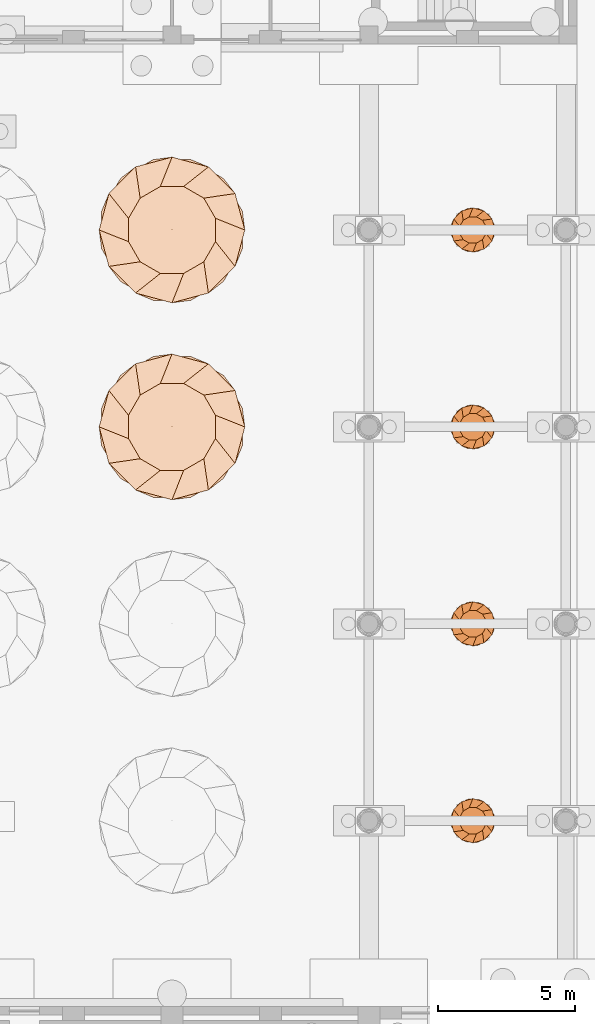
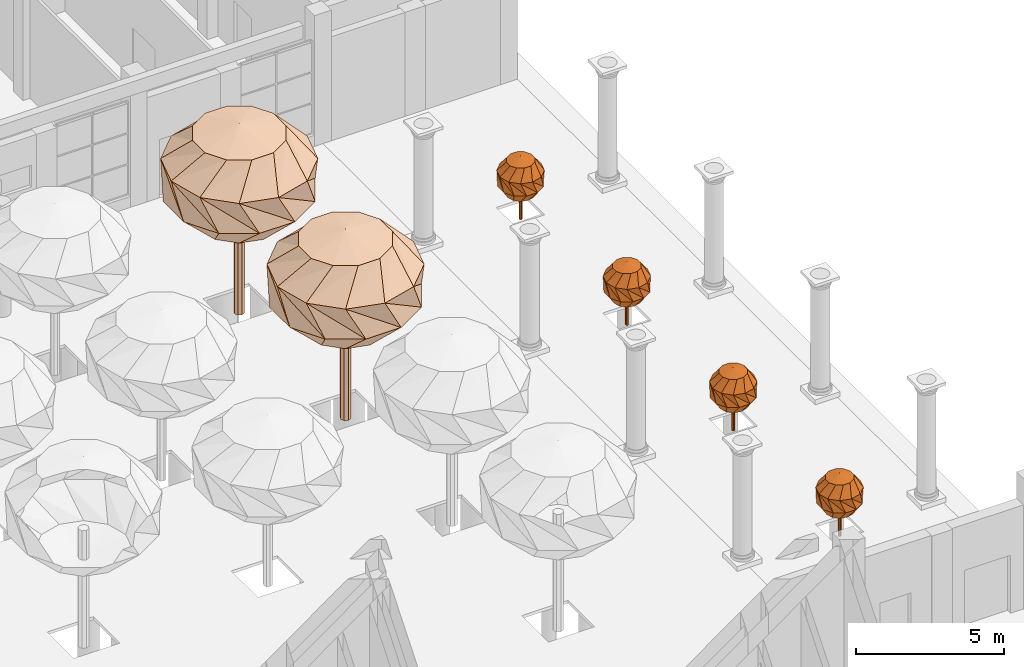
# One storey, part 80 of 80: 6 geographic elements.
"""IFC4 building model written with IfcOpenShell, lengths in metres."""

from ifc_helpers import new_model, si_unit, direction, frame, origin, place, context, subcontext, project, spatial, triangles, material, type_object, element, save


model = new_model("IFC4")

# Units and contexts
model_context = context("Model", 3, precision=1e-05, world=origin(), true_north=direction((0.0, 1.0)))
body_context = subcontext(model_context, "Body", "Model", "MODEL_VIEW")
ifc_project = project(units=[si_unit("LENGTHUNIT", "METRE"), si_unit("AREAUNIT", "SQUARE_METRE"), si_unit("VOLUMEUNIT", "CUBIC_METRE"), si_unit("PLANEANGLEUNIT", "RADIAN"), si_unit("MASSUNIT", "GRAM", prefix="KILO")], contexts=[model_context])

# Site, building, storey
site_placement = place(None, origin())
site = spatial("IfcSite", under=ifc_project, at=site_placement, CompositionType="ELEMENT")
building_placement = place(site_placement, origin())
building = spatial("IfcBuilding", under=site, at=building_placement, Name="Ussher Court Research Institute", CompositionType="ELEMENT")
storey_placement = place(building_placement, origin())
storey = spatial("IfcBuildingStorey", under=building, at=storey_placement, Name="L00", CompositionType="ELEMENT", Elevation=0.0)

# Geographic elements
ifc_material_1 = material(Name="Tree foliage and trunk")
geographic_element_type_1 = type_object("IfcGeographicElementType", Name="African mahogany 7.8 m", PredefinedType="USERDEFINED", material=ifc_material_1)
geographic_element_1_placement = place(storey_placement, frame((89.39990234375, 54.39990234375, -0.320068359375)))
element("IfcGeographicElement", 1, at=geographic_element_1_placement, inside=storey, type_object=geographic_element_type_1, Name="T27 African mahogany", ObjectType="TREE", PredefinedType="USERDEFINED", context=body_context, shape_type="Tessellation", body=[
    triangles([(0.1899, 0.0, 0.0), (0.1343, 0.1343, 0.0), (0.0, 0.1899, 0.0), (-0.1343, 0.1343, 0.0), (-0.1899, 0.0, 0.0), (-0.1343, -0.1343, 0.0), (0.0, -0.1899, 0.0), (0.1343, -0.1343, 0.0), (0.1899, 0.0, 4.8601), (0.1343, 0.1343, 4.8601), (0.0, 0.1899, 4.8601), (-0.1343, 0.1343, 4.8601), (-0.1899, 0.0, 4.8601), (-0.1343, -0.1343, 4.8601), (0.0, -0.1899, 4.8601), (0.1343, -0.1343, 4.8601), (0.0, 0.0, 7.8), (1.5897, 0.426, 7.399), (1.1638, 1.1638, 7.399), (0.426, 1.5897, 7.399), (-0.426, 1.5897, 7.399), (-1.1638, 1.1638, 7.399), (-1.5897, 0.426, 7.399), (-1.5897, -0.426, 7.399), (-1.1638, -1.1638, 7.399), (-0.426, -1.5897, 7.399), (0.426, -1.5897, 7.399), (1.1638, -1.1638, 7.399), (1.5897, -0.426, 7.399), (2.663, 0.0, 6.349), (2.3062, 1.3315, 6.349), (1.3315, 2.3062, 6.349), (0.0, 2.663, 6.349), (-1.3315, 2.3062, 6.349), (-2.3062, 1.3315, 6.349), (-2.663, 0.0, 6.349), (-2.3062, -1.3315, 6.349), (-1.3315, -2.3062, 6.349), (0.0, -2.663, 6.349), (1.3315, -2.3062, 6.349), (2.3062, -1.3315, 6.349), (2.5723, 0.6892, 5.0511), (1.883, 1.883, 5.0511), (0.6892, 2.5723, 5.0511), (-0.6892, 2.5723, 5.0511), (-1.883, 1.883, 5.0511), (-2.5723, 0.6892, 5.0511), (-2.5723, -0.6892, 5.0511), (-1.883, -1.883, 5.0511), (-0.6892, -2.5723, 5.0511), (0.6892, -2.5723, 5.0511), (1.883, -1.883, 5.0511), (2.5723, -0.6892, 5.0511), (1.6458, 0.0, 4.0012), (1.4253, 0.8229, 4.0012), (0.8229, 1.4253, 4.0012), (0.0, 1.6458, 4.0012), (-0.8229, 1.4253, 4.0012), (-1.4253, 0.8229, 4.0012), (-1.6458, 0.0, 4.0012), (-1.4253, -0.8229, 4.0012), (-0.8229, -1.4253, 4.0012), (0.0, -1.6458, 4.0012), (0.8229, -1.4253, 4.0012), (1.4253, -0.8229, 4.0012), (0.0, 0.0, 3.6001)], [[1, 2, 9], [2, 10, 9], [2, 3, 10], [3, 11, 10], [3, 4, 11], [4, 12, 11], [4, 5, 12], [5, 13, 12], [5, 6, 13], [6, 14, 13], [6, 7, 14], [7, 15, 14], [7, 8, 15], [8, 16, 15], [8, 1, 16], [1, 9, 16], [1, 3, 2], [9, 10, 11], [1, 4, 3], [9, 11, 12], [1, 5, 4], [9, 12, 13], [1, 6, 5], [9, 13, 14], [1, 7, 6], [9, 14, 15], [1, 8, 7], [9, 15, 16], [17, 18, 19], [17, 19, 20], [17, 20, 21], [17, 21, 22], [17, 22, 23], [17, 23, 24], [17, 24, 25], [17, 25, 26], [17, 26, 27], [17, 27, 28], [17, 28, 29], [17, 29, 18], [18, 30, 19], [19, 30, 31], [19, 31, 20], [20, 31, 32], [20, 32, 21], [21, 32, 33], [21, 33, 22], [22, 33, 34], [22, 34, 23], [23, 34, 35], [23, 35, 24], [24, 35, 36], [24, 36, 25], [25, 36, 37], [25, 37, 26], [26, 37, 38], [26, 38, 27], [27, 38, 39], [27, 39, 28], [28, 39, 40], [28, 40, 29], [29, 40, 41], [29, 41, 18], [18, 41, 30], [30, 43, 31], [30, 42, 43], [31, 44, 32], [31, 43, 44], [32, 45, 33], [32, 44, 45], [33, 46, 34], [33, 45, 46], [34, 47, 35], [34, 46, 47], [35, 48, 36], [35, 47, 48], [36, 49, 37], [36, 48, 49], [37, 50, 38], [37, 49, 50], [38, 51, 39], [38, 50, 51], [39, 52, 40], [39, 51, 52], [40, 53, 41], [40, 52, 53], [41, 42, 30], [41, 53, 42], [42, 54, 43], [43, 54, 55], [43, 55, 44], [44, 55, 56], [44, 56, 45], [45, 56, 57], [45, 57, 46], [46, 57, 58], [46, 58, 47], [47, 58, 59], [47, 59, 48], [48, 59, 60], [48, 60, 49], [49, 60, 61], [49, 61, 50], [50, 61, 62], [50, 62, 51], [51, 62, 63], [51, 63, 52], [52, 63, 64], [52, 64, 53], [53, 64, 65], [53, 65, 42], [42, 65, 54], [66, 55, 54], [66, 56, 55], [66, 57, 56], [66, 58, 57], [66, 59, 58], [66, 60, 59], [66, 61, 60], [66, 62, 61], [66, 63, 62], [66, 64, 63], [66, 65, 64], [66, 54, 65]], closed=False),
])
geographic_element_2_placement = place(storey_placement, frame((89.39990234375, 61.60009765625, -0.320068359375)))
element("IfcGeographicElement", 2, at=geographic_element_2_placement, inside=storey, type_object=geographic_element_type_1, Name="T28 African mahogany", ObjectType="TREE", PredefinedType="USERDEFINED", context=body_context, shape_type="Tessellation", body=[
    triangles([(0.1899, 0.0, 0.0), (0.1343, 0.1343, 0.0), (0.0, 0.1899, 0.0), (-0.1343, 0.1343, 0.0), (-0.1899, 0.0, 0.0), (-0.1343, -0.1343, 0.0), (0.0, -0.1899, 0.0), (0.1343, -0.1343, 0.0), (0.1899, 0.0, 4.8601), (0.1343, 0.1343, 4.8601), (0.0, 0.1899, 4.8601), (-0.1343, 0.1343, 4.8601), (-0.1899, 0.0, 4.8601), (-0.1343, -0.1343, 4.8601), (0.0, -0.1899, 4.8601), (0.1343, -0.1343, 4.8601), (0.0, 0.0, 7.8), (1.5897, 0.426, 7.399), (1.1638, 1.1638, 7.399), (0.426, 1.5897, 7.399), (-0.426, 1.5897, 7.399), (-1.1638, 1.1638, 7.399), (-1.5897, 0.426, 7.399), (-1.5897, -0.426, 7.399), (-1.1638, -1.1638, 7.399), (-0.426, -1.5897, 7.399), (0.426, -1.5897, 7.399), (1.1638, -1.1638, 7.399), (1.5897, -0.426, 7.399), (2.663, 0.0, 6.349), (2.3062, 1.3315, 6.349), (1.3315, 2.3062, 6.349), (0.0, 2.663, 6.349), (-1.3315, 2.3062, 6.349), (-2.3062, 1.3315, 6.349), (-2.663, 0.0, 6.349), (-2.3062, -1.3315, 6.349), (-1.3315, -2.3062, 6.349), (0.0, -2.663, 6.349), (1.3315, -2.3062, 6.349), (2.3062, -1.3315, 6.349), (2.5723, 0.6892, 5.0511), (1.883, 1.883, 5.0511), (0.6892, 2.5723, 5.0511), (-0.6892, 2.5723, 5.0511), (-1.883, 1.883, 5.0511), (-2.5723, 0.6892, 5.0511), (-2.5723, -0.6892, 5.0511), (-1.883, -1.883, 5.0511), (-0.6892, -2.5723, 5.0511), (0.6892, -2.5723, 5.0511), (1.883, -1.883, 5.0511), (2.5723, -0.6892, 5.0511), (1.6458, 0.0, 4.0012), (1.4253, 0.8229, 4.0012), (0.8229, 1.4253, 4.0012), (0.0, 1.6458, 4.0012), (-0.8229, 1.4253, 4.0012), (-1.4253, 0.8229, 4.0012), (-1.6458, 0.0, 4.0012), (-1.4253, -0.8229, 4.0012), (-0.8229, -1.4253, 4.0012), (0.0, -1.6458, 4.0012), (0.8229, -1.4253, 4.0012), (1.4253, -0.8229, 4.0012), (0.0, 0.0, 3.6001)], [[1, 2, 9], [2, 10, 9], [2, 3, 10], [3, 11, 10], [3, 4, 11], [4, 12, 11], [4, 5, 12], [5, 13, 12], [5, 6, 13], [6, 14, 13], [6, 7, 14], [7, 15, 14], [7, 8, 15], [8, 16, 15], [8, 1, 16], [1, 9, 16], [1, 3, 2], [9, 10, 11], [1, 4, 3], [9, 11, 12], [1, 5, 4], [9, 12, 13], [1, 6, 5], [9, 13, 14], [1, 7, 6], [9, 14, 15], [1, 8, 7], [9, 15, 16], [17, 18, 19], [17, 19, 20], [17, 20, 21], [17, 21, 22], [17, 22, 23], [17, 23, 24], [17, 24, 25], [17, 25, 26], [17, 26, 27], [17, 27, 28], [17, 28, 29], [17, 29, 18], [18, 30, 19], [19, 30, 31], [19, 31, 20], [20, 31, 32], [20, 32, 21], [21, 32, 33], [21, 33, 22], [22, 33, 34], [22, 34, 23], [23, 34, 35], [23, 35, 24], [24, 35, 36], [24, 36, 25], [25, 36, 37], [25, 37, 26], [26, 37, 38], [26, 38, 27], [27, 38, 39], [27, 39, 28], [28, 39, 40], [28, 40, 29], [29, 40, 41], [29, 41, 18], [18, 41, 30], [30, 43, 31], [30, 42, 43], [31, 44, 32], [31, 43, 44], [32, 45, 33], [32, 44, 45], [33, 46, 34], [33, 45, 46], [34, 47, 35], [34, 46, 47], [35, 48, 36], [35, 47, 48], [36, 49, 37], [36, 48, 49], [37, 50, 38], [37, 49, 50], [38, 51, 39], [38, 50, 51], [39, 52, 40], [39, 51, 52], [40, 53, 41], [40, 52, 53], [41, 42, 30], [41, 53, 42], [42, 54, 43], [43, 54, 55], [43, 55, 44], [44, 55, 56], [44, 56, 45], [45, 56, 57], [45, 57, 46], [46, 57, 58], [46, 58, 47], [47, 58, 59], [47, 59, 48], [48, 59, 60], [48, 60, 49], [49, 60, 61], [49, 61, 50], [50, 61, 62], [50, 62, 51], [51, 62, 63], [51, 63, 52], [52, 63, 64], [52, 64, 53], [53, 64, 65], [53, 65, 42], [42, 65, 54], [66, 55, 54], [66, 56, 55], [66, 57, 56], [66, 58, 57], [66, 59, 58], [66, 60, 59], [66, 61, 60], [66, 62, 61], [66, 63, 62], [66, 64, 63], [66, 65, 64], [66, 54, 65]], closed=False),
])
ifc_material_2 = material(Name="Tree foliage and trunk")
geographic_element_type_2 = type_object("IfcGeographicElementType", Name="Pygmy date palm 2.6 m", PredefinedType="USERDEFINED", material=ifc_material_2)
geographic_element_3_placement = place(storey_placement, frame((100.39990234375, 40.0, -0.320068359375)))
element("IfcGeographicElement", 3, at=geographic_element_3_placement, inside=storey, type_object=geographic_element_type_2, Name="T38 Pygmy date palm", ObjectType="TREE", PredefinedType="USERDEFINED", context=body_context, shape_type="Tessellation", body=[
    triangles([(0.0601, 0.0, 0.0), (0.0425, 0.0425, 0.0), (0.0, 0.0601, 0.0), (-0.0425, 0.0425, 0.0), (-0.0601, 0.0, 0.0), (-0.0425, -0.0425, 0.0), (0.0, -0.0601, 0.0), (0.0425, -0.0425, 0.0), (0.0601, 0.0, 1.4099), (0.0425, 0.0425, 1.4099), (0.0, 0.0601, 1.4099), (-0.0425, 0.0425, 1.4099), (-0.0601, 0.0, 1.4099), (-0.0425, -0.0425, 1.4099), (0.0, -0.0601, 1.4099), (0.0425, -0.0425, 1.4099), (0.0, 0.0, 2.5999), (0.4826, 0.1293, 2.4375), (0.3533, 0.3533, 2.4375), (0.1293, 0.4826, 2.4375), (-0.1293, 0.4826, 2.4375), (-0.3533, 0.3533, 2.4375), (-0.4826, 0.1293, 2.4375), (-0.4826, -0.1293, 2.4375), (-0.3533, -0.3533, 2.4375), (-0.1293, -0.4826, 2.4375), (0.1293, -0.4826, 2.4375), (0.3533, -0.3533, 2.4375), (0.4826, -0.1293, 2.4375), (0.8084, 0.0, 2.0125), (0.7001, 0.4042, 2.0125), (0.4042, 0.7001, 2.0125), (0.0, 0.8084, 2.0125), (-0.4042, 0.7001, 2.0125), (-0.7001, 0.4042, 2.0125), (-0.8084, 0.0, 2.0125), (-0.7001, -0.4042, 2.0125), (-0.4042, -0.7001, 2.0125), (0.0, -0.8084, 2.0125), (0.4042, -0.7001, 2.0125), (0.7001, -0.4042, 2.0125), (0.7808, 0.2092, 1.4872), (0.5716, 0.5716, 1.4872), (0.2092, 0.7808, 1.4872), (-0.2092, 0.7808, 1.4872), (-0.5716, 0.5716, 1.4872), (-0.7808, 0.2092, 1.4872), (-0.7808, -0.2092, 1.4872), (-0.5716, -0.5716, 1.4872), (-0.2092, -0.7808, 1.4872), (0.2092, -0.7808, 1.4872), (0.5716, -0.5716, 1.4872), (0.7808, -0.2092, 1.4872), (0.4996, 0.0, 1.0622), (0.4327, 0.2498, 1.0622), (0.2498, 0.4327, 1.0622), (0.0, 0.4996, 1.0622), (-0.2498, 0.4327, 1.0622), (-0.4327, 0.2498, 1.0622), (-0.4996, 0.0, 1.0622), (-0.4327, -0.2498, 1.0622), (-0.2498, -0.4327, 1.0622), (0.0, -0.4996, 1.0622), (0.2498, -0.4327, 1.0622), (0.4327, -0.2498, 1.0622), (0.0, 0.0, 0.8999)], [[1, 2, 9], [2, 10, 9], [2, 3, 10], [3, 11, 10], [3, 4, 11], [4, 12, 11], [4, 5, 12], [5, 13, 12], [5, 6, 13], [6, 14, 13], [6, 7, 14], [7, 15, 14], [7, 8, 15], [8, 16, 15], [8, 1, 16], [1, 9, 16], [1, 3, 2], [9, 10, 11], [1, 4, 3], [9, 11, 12], [1, 5, 4], [9, 12, 13], [1, 6, 5], [9, 13, 14], [1, 7, 6], [9, 14, 15], [1, 8, 7], [9, 15, 16], [17, 18, 19], [17, 19, 20], [17, 20, 21], [17, 21, 22], [17, 22, 23], [17, 23, 24], [17, 24, 25], [17, 25, 26], [17, 26, 27], [17, 27, 28], [17, 28, 29], [17, 29, 18], [18, 30, 19], [19, 30, 31], [19, 31, 20], [20, 31, 32], [20, 32, 21], [21, 32, 33], [21, 33, 22], [22, 33, 34], [22, 34, 23], [23, 34, 35], [23, 35, 24], [24, 35, 36], [24, 36, 25], [25, 36, 37], [25, 37, 26], [26, 37, 38], [26, 38, 27], [27, 38, 39], [27, 39, 28], [28, 39, 40], [28, 40, 29], [29, 40, 41], [29, 41, 18], [18, 41, 30], [30, 43, 31], [30, 42, 43], [31, 44, 32], [31, 43, 44], [32, 45, 33], [32, 44, 45], [33, 46, 34], [33, 45, 46], [34, 47, 35], [34, 46, 47], [35, 48, 36], [35, 47, 48], [36, 49, 37], [36, 48, 49], [37, 50, 38], [37, 49, 50], [38, 51, 39], [38, 50, 51], [39, 52, 40], [39, 51, 52], [40, 53, 41], [40, 52, 53], [41, 42, 30], [41, 53, 42], [42, 54, 43], [43, 54, 55], [43, 55, 44], [44, 55, 56], [44, 56, 45], [45, 56, 57], [45, 57, 46], [46, 57, 58], [46, 58, 47], [47, 58, 59], [47, 59, 48], [48, 59, 60], [48, 60, 49], [49, 60, 61], [49, 61, 50], [50, 61, 62], [50, 62, 51], [51, 62, 63], [51, 63, 52], [52, 63, 64], [52, 64, 53], [53, 64, 65], [53, 65, 42], [42, 65, 54], [66, 55, 54], [66, 56, 55], [66, 57, 56], [66, 58, 57], [66, 59, 58], [66, 60, 59], [66, 61, 60], [66, 62, 61], [66, 63, 62], [66, 64, 63], [66, 65, 64], [66, 54, 65]], closed=False),
])
geographic_element_4_placement = place(storey_placement, frame((100.39990234375, 47.199951171875, -0.320068359375)))
element("IfcGeographicElement", 4, at=geographic_element_4_placement, inside=storey, type_object=geographic_element_type_2, Name="T39 Pygmy date palm", ObjectType="TREE", PredefinedType="USERDEFINED", context=body_context, shape_type="Tessellation", body=[
    triangles([(0.0601, 0.0, 0.0), (0.0425, 0.0425, 0.0), (0.0, 0.0601, 0.0), (-0.0425, 0.0425, 0.0), (-0.0601, 0.0, 0.0), (-0.0425, -0.0425, 0.0), (0.0, -0.0601, 0.0), (0.0425, -0.0425, 0.0), (0.0601, 0.0, 1.4099), (0.0425, 0.0425, 1.4099), (0.0, 0.0601, 1.4099), (-0.0425, 0.0425, 1.4099), (-0.0601, 0.0, 1.4099), (-0.0425, -0.0425, 1.4099), (0.0, -0.0601, 1.4099), (0.0425, -0.0425, 1.4099), (0.0, 0.0, 2.5999), (0.4826, 0.1293, 2.4375), (0.3533, 0.3533, 2.4375), (0.1293, 0.4826, 2.4375), (-0.1293, 0.4826, 2.4375), (-0.3533, 0.3533, 2.4375), (-0.4826, 0.1293, 2.4375), (-0.4826, -0.1293, 2.4375), (-0.3533, -0.3533, 2.4375), (-0.1293, -0.4826, 2.4375), (0.1293, -0.4826, 2.4375), (0.3533, -0.3533, 2.4375), (0.4826, -0.1293, 2.4375), (0.8084, 0.0, 2.0125), (0.7001, 0.4042, 2.0125), (0.4042, 0.7001, 2.0125), (0.0, 0.8084, 2.0125), (-0.4042, 0.7001, 2.0125), (-0.7001, 0.4042, 2.0125), (-0.8084, 0.0, 2.0125), (-0.7001, -0.4042, 2.0125), (-0.4042, -0.7001, 2.0125), (0.0, -0.8084, 2.0125), (0.4042, -0.7001, 2.0125), (0.7001, -0.4042, 2.0125), (0.7808, 0.2092, 1.4872), (0.5716, 0.5716, 1.4872), (0.2092, 0.7808, 1.4872), (-0.2092, 0.7808, 1.4872), (-0.5716, 0.5716, 1.4872), (-0.7808, 0.2092, 1.4872), (-0.7808, -0.2092, 1.4872), (-0.5716, -0.5716, 1.4872), (-0.2092, -0.7808, 1.4872), (0.2092, -0.7808, 1.4872), (0.5716, -0.5716, 1.4872), (0.7808, -0.2092, 1.4872), (0.4996, 0.0, 1.0622), (0.4327, 0.2498, 1.0622), (0.2498, 0.4327, 1.0622), (0.0, 0.4996, 1.0622), (-0.2498, 0.4327, 1.0622), (-0.4327, 0.2498, 1.0622), (-0.4996, 0.0, 1.0622), (-0.4327, -0.2498, 1.0622), (-0.2498, -0.4327, 1.0622), (0.0, -0.4996, 1.0622), (0.2498, -0.4327, 1.0622), (0.4327, -0.2498, 1.0622), (0.0, 0.0, 0.8999)], [[1, 2, 9], [2, 10, 9], [2, 3, 10], [3, 11, 10], [3, 4, 11], [4, 12, 11], [4, 5, 12], [5, 13, 12], [5, 6, 13], [6, 14, 13], [6, 7, 14], [7, 15, 14], [7, 8, 15], [8, 16, 15], [8, 1, 16], [1, 9, 16], [1, 3, 2], [9, 10, 11], [1, 4, 3], [9, 11, 12], [1, 5, 4], [9, 12, 13], [1, 6, 5], [9, 13, 14], [1, 7, 6], [9, 14, 15], [1, 8, 7], [9, 15, 16], [17, 18, 19], [17, 19, 20], [17, 20, 21], [17, 21, 22], [17, 22, 23], [17, 23, 24], [17, 24, 25], [17, 25, 26], [17, 26, 27], [17, 27, 28], [17, 28, 29], [17, 29, 18], [18, 30, 19], [19, 30, 31], [19, 31, 20], [20, 31, 32], [20, 32, 21], [21, 32, 33], [21, 33, 22], [22, 33, 34], [22, 34, 23], [23, 34, 35], [23, 35, 24], [24, 35, 36], [24, 36, 25], [25, 36, 37], [25, 37, 26], [26, 37, 38], [26, 38, 27], [27, 38, 39], [27, 39, 28], [28, 39, 40], [28, 40, 29], [29, 40, 41], [29, 41, 18], [18, 41, 30], [30, 43, 31], [30, 42, 43], [31, 44, 32], [31, 43, 44], [32, 45, 33], [32, 44, 45], [33, 46, 34], [33, 45, 46], [34, 47, 35], [34, 46, 47], [35, 48, 36], [35, 47, 48], [36, 49, 37], [36, 48, 49], [37, 50, 38], [37, 49, 50], [38, 51, 39], [38, 50, 51], [39, 52, 40], [39, 51, 52], [40, 53, 41], [40, 52, 53], [41, 42, 30], [41, 53, 42], [42, 54, 43], [43, 54, 55], [43, 55, 44], [44, 55, 56], [44, 56, 45], [45, 56, 57], [45, 57, 46], [46, 57, 58], [46, 58, 47], [47, 58, 59], [47, 59, 48], [48, 59, 60], [48, 60, 49], [49, 60, 61], [49, 61, 50], [50, 61, 62], [50, 62, 51], [51, 62, 63], [51, 63, 52], [52, 63, 64], [52, 64, 53], [53, 64, 65], [53, 65, 42], [42, 65, 54], [66, 55, 54], [66, 56, 55], [66, 57, 56], [66, 58, 57], [66, 59, 58], [66, 60, 59], [66, 61, 60], [66, 62, 61], [66, 63, 62], [66, 64, 63], [66, 65, 64], [66, 54, 65]], closed=False),
])
geographic_element_5_placement = place(storey_placement, frame((100.39990234375, 54.39990234375, -0.320068359375)))
element("IfcGeographicElement", 5, at=geographic_element_5_placement, inside=storey, type_object=geographic_element_type_2, Name="T40 Pygmy date palm", ObjectType="TREE", PredefinedType="USERDEFINED", context=body_context, shape_type="Tessellation", body=[
    triangles([(0.0601, 0.0, 0.0), (0.0425, 0.0425, 0.0), (0.0, 0.0601, 0.0), (-0.0425, 0.0425, 0.0), (-0.0601, 0.0, 0.0), (-0.0425, -0.0425, 0.0), (0.0, -0.0601, 0.0), (0.0425, -0.0425, 0.0), (0.0601, 0.0, 1.4099), (0.0425, 0.0425, 1.4099), (0.0, 0.0601, 1.4099), (-0.0425, 0.0425, 1.4099), (-0.0601, 0.0, 1.4099), (-0.0425, -0.0425, 1.4099), (0.0, -0.0601, 1.4099), (0.0425, -0.0425, 1.4099), (0.0, 0.0, 2.5999), (0.4826, 0.1293, 2.4375), (0.3533, 0.3533, 2.4375), (0.1293, 0.4826, 2.4375), (-0.1293, 0.4826, 2.4375), (-0.3533, 0.3533, 2.4375), (-0.4826, 0.1293, 2.4375), (-0.4826, -0.1293, 2.4375), (-0.3533, -0.3533, 2.4375), (-0.1293, -0.4826, 2.4375), (0.1293, -0.4826, 2.4375), (0.3533, -0.3533, 2.4375), (0.4826, -0.1293, 2.4375), (0.8084, 0.0, 2.0125), (0.7001, 0.4042, 2.0125), (0.4042, 0.7001, 2.0125), (0.0, 0.8084, 2.0125), (-0.4042, 0.7001, 2.0125), (-0.7001, 0.4042, 2.0125), (-0.8084, 0.0, 2.0125), (-0.7001, -0.4042, 2.0125), (-0.4042, -0.7001, 2.0125), (0.0, -0.8084, 2.0125), (0.4042, -0.7001, 2.0125), (0.7001, -0.4042, 2.0125), (0.7808, 0.2092, 1.4872), (0.5716, 0.5716, 1.4872), (0.2092, 0.7808, 1.4872), (-0.2092, 0.7808, 1.4872), (-0.5716, 0.5716, 1.4872), (-0.7808, 0.2092, 1.4872), (-0.7808, -0.2092, 1.4872), (-0.5716, -0.5716, 1.4872), (-0.2092, -0.7808, 1.4872), (0.2092, -0.7808, 1.4872), (0.5716, -0.5716, 1.4872), (0.7808, -0.2092, 1.4872), (0.4996, 0.0, 1.0622), (0.4327, 0.2498, 1.0622), (0.2498, 0.4327, 1.0622), (0.0, 0.4996, 1.0622), (-0.2498, 0.4327, 1.0622), (-0.4327, 0.2498, 1.0622), (-0.4996, 0.0, 1.0622), (-0.4327, -0.2498, 1.0622), (-0.2498, -0.4327, 1.0622), (0.0, -0.4996, 1.0622), (0.2498, -0.4327, 1.0622), (0.4327, -0.2498, 1.0622), (0.0, 0.0, 0.8999)], [[1, 2, 9], [2, 10, 9], [2, 3, 10], [3, 11, 10], [3, 4, 11], [4, 12, 11], [4, 5, 12], [5, 13, 12], [5, 6, 13], [6, 14, 13], [6, 7, 14], [7, 15, 14], [7, 8, 15], [8, 16, 15], [8, 1, 16], [1, 9, 16], [1, 3, 2], [9, 10, 11], [1, 4, 3], [9, 11, 12], [1, 5, 4], [9, 12, 13], [1, 6, 5], [9, 13, 14], [1, 7, 6], [9, 14, 15], [1, 8, 7], [9, 15, 16], [17, 18, 19], [17, 19, 20], [17, 20, 21], [17, 21, 22], [17, 22, 23], [17, 23, 24], [17, 24, 25], [17, 25, 26], [17, 26, 27], [17, 27, 28], [17, 28, 29], [17, 29, 18], [18, 30, 19], [19, 30, 31], [19, 31, 20], [20, 31, 32], [20, 32, 21], [21, 32, 33], [21, 33, 22], [22, 33, 34], [22, 34, 23], [23, 34, 35], [23, 35, 24], [24, 35, 36], [24, 36, 25], [25, 36, 37], [25, 37, 26], [26, 37, 38], [26, 38, 27], [27, 38, 39], [27, 39, 28], [28, 39, 40], [28, 40, 29], [29, 40, 41], [29, 41, 18], [18, 41, 30], [30, 43, 31], [30, 42, 43], [31, 44, 32], [31, 43, 44], [32, 45, 33], [32, 44, 45], [33, 46, 34], [33, 45, 46], [34, 47, 35], [34, 46, 47], [35, 48, 36], [35, 47, 48], [36, 49, 37], [36, 48, 49], [37, 50, 38], [37, 49, 50], [38, 51, 39], [38, 50, 51], [39, 52, 40], [39, 51, 52], [40, 53, 41], [40, 52, 53], [41, 42, 30], [41, 53, 42], [42, 54, 43], [43, 54, 55], [43, 55, 44], [44, 55, 56], [44, 56, 45], [45, 56, 57], [45, 57, 46], [46, 57, 58], [46, 58, 47], [47, 58, 59], [47, 59, 48], [48, 59, 60], [48, 60, 49], [49, 60, 61], [49, 61, 50], [50, 61, 62], [50, 62, 51], [51, 62, 63], [51, 63, 52], [52, 63, 64], [52, 64, 53], [53, 64, 65], [53, 65, 42], [42, 65, 54], [66, 55, 54], [66, 56, 55], [66, 57, 56], [66, 58, 57], [66, 59, 58], [66, 60, 59], [66, 61, 60], [66, 62, 61], [66, 63, 62], [66, 64, 63], [66, 65, 64], [66, 54, 65]], closed=False),
])
geographic_element_6_placement = place(storey_placement, frame((100.39990234375, 61.60009765625, -0.320068359375)))
element("IfcGeographicElement", 6, at=geographic_element_6_placement, inside=storey, type_object=geographic_element_type_2, Name="T41 Pygmy date palm", ObjectType="TREE", PredefinedType="USERDEFINED", context=body_context, shape_type="Tessellation", body=[
    triangles([(0.0601, 0.0, 0.0), (0.0425, 0.0425, 0.0), (0.0, 0.0601, 0.0), (-0.0425, 0.0425, 0.0), (-0.0601, 0.0, 0.0), (-0.0425, -0.0425, 0.0), (0.0, -0.0601, 0.0), (0.0425, -0.0425, 0.0), (0.0601, 0.0, 1.4099), (0.0425, 0.0425, 1.4099), (0.0, 0.0601, 1.4099), (-0.0425, 0.0425, 1.4099), (-0.0601, 0.0, 1.4099), (-0.0425, -0.0425, 1.4099), (0.0, -0.0601, 1.4099), (0.0425, -0.0425, 1.4099), (0.0, 0.0, 2.5999), (0.4826, 0.1293, 2.4375), (0.3533, 0.3533, 2.4375), (0.1293, 0.4826, 2.4375), (-0.1293, 0.4826, 2.4375), (-0.3533, 0.3533, 2.4375), (-0.4826, 0.1293, 2.4375), (-0.4826, -0.1293, 2.4375), (-0.3533, -0.3533, 2.4375), (-0.1293, -0.4826, 2.4375), (0.1293, -0.4826, 2.4375), (0.3533, -0.3533, 2.4375), (0.4826, -0.1293, 2.4375), (0.8084, 0.0, 2.0125), (0.7001, 0.4042, 2.0125), (0.4042, 0.7001, 2.0125), (0.0, 0.8084, 2.0125), (-0.4042, 0.7001, 2.0125), (-0.7001, 0.4042, 2.0125), (-0.8084, 0.0, 2.0125), (-0.7001, -0.4042, 2.0125), (-0.4042, -0.7001, 2.0125), (0.0, -0.8084, 2.0125), (0.4042, -0.7001, 2.0125), (0.7001, -0.4042, 2.0125), (0.7808, 0.2092, 1.4872), (0.5716, 0.5716, 1.4872), (0.2092, 0.7808, 1.4872), (-0.2092, 0.7808, 1.4872), (-0.5716, 0.5716, 1.4872), (-0.7808, 0.2092, 1.4872), (-0.7808, -0.2092, 1.4872), (-0.5716, -0.5716, 1.4872), (-0.2092, -0.7808, 1.4872), (0.2092, -0.7808, 1.4872), (0.5716, -0.5716, 1.4872), (0.7808, -0.2092, 1.4872), (0.4996, 0.0, 1.0622), (0.4327, 0.2498, 1.0622), (0.2498, 0.4327, 1.0622), (0.0, 0.4996, 1.0622), (-0.2498, 0.4327, 1.0622), (-0.4327, 0.2498, 1.0622), (-0.4996, 0.0, 1.0622), (-0.4327, -0.2498, 1.0622), (-0.2498, -0.4327, 1.0622), (0.0, -0.4996, 1.0622), (0.2498, -0.4327, 1.0622), (0.4327, -0.2498, 1.0622), (0.0, 0.0, 0.8999)], [[1, 2, 9], [2, 10, 9], [2, 3, 10], [3, 11, 10], [3, 4, 11], [4, 12, 11], [4, 5, 12], [5, 13, 12], [5, 6, 13], [6, 14, 13], [6, 7, 14], [7, 15, 14], [7, 8, 15], [8, 16, 15], [8, 1, 16], [1, 9, 16], [1, 3, 2], [9, 10, 11], [1, 4, 3], [9, 11, 12], [1, 5, 4], [9, 12, 13], [1, 6, 5], [9, 13, 14], [1, 7, 6], [9, 14, 15], [1, 8, 7], [9, 15, 16], [17, 18, 19], [17, 19, 20], [17, 20, 21], [17, 21, 22], [17, 22, 23], [17, 23, 24], [17, 24, 25], [17, 25, 26], [17, 26, 27], [17, 27, 28], [17, 28, 29], [17, 29, 18], [18, 30, 19], [19, 30, 31], [19, 31, 20], [20, 31, 32], [20, 32, 21], [21, 32, 33], [21, 33, 22], [22, 33, 34], [22, 34, 23], [23, 34, 35], [23, 35, 24], [24, 35, 36], [24, 36, 25], [25, 36, 37], [25, 37, 26], [26, 37, 38], [26, 38, 27], [27, 38, 39], [27, 39, 28], [28, 39, 40], [28, 40, 29], [29, 40, 41], [29, 41, 18], [18, 41, 30], [30, 43, 31], [30, 42, 43], [31, 44, 32], [31, 43, 44], [32, 45, 33], [32, 44, 45], [33, 46, 34], [33, 45, 46], [34, 47, 35], [34, 46, 47], [35, 48, 36], [35, 47, 48], [36, 49, 37], [36, 48, 49], [37, 50, 38], [37, 49, 50], [38, 51, 39], [38, 50, 51], [39, 52, 40], [39, 51, 52], [40, 53, 41], [40, 52, 53], [41, 42, 30], [41, 53, 42], [42, 54, 43], [43, 54, 55], [43, 55, 44], [44, 55, 56], [44, 56, 45], [45, 56, 57], [45, 57, 46], [46, 57, 58], [46, 58, 47], [47, 58, 59], [47, 59, 48], [48, 59, 60], [48, 60, 49], [49, 60, 61], [49, 61, 50], [50, 61, 62], [50, 62, 51], [51, 62, 63], [51, 63, 52], [52, 63, 64], [52, 64, 53], [53, 64, 65], [53, 65, 42], [42, 65, 54], [66, 55, 54], [66, 56, 55], [66, 57, 56], [66, 58, 57], [66, 59, 58], [66, 60, 59], [66, 61, 60], [66, 62, 61], [66, 63, 62], [66, 64, 63], [66, 65, 64], [66, 54, 65]], closed=False),
])

save(model, "model.ifc")
